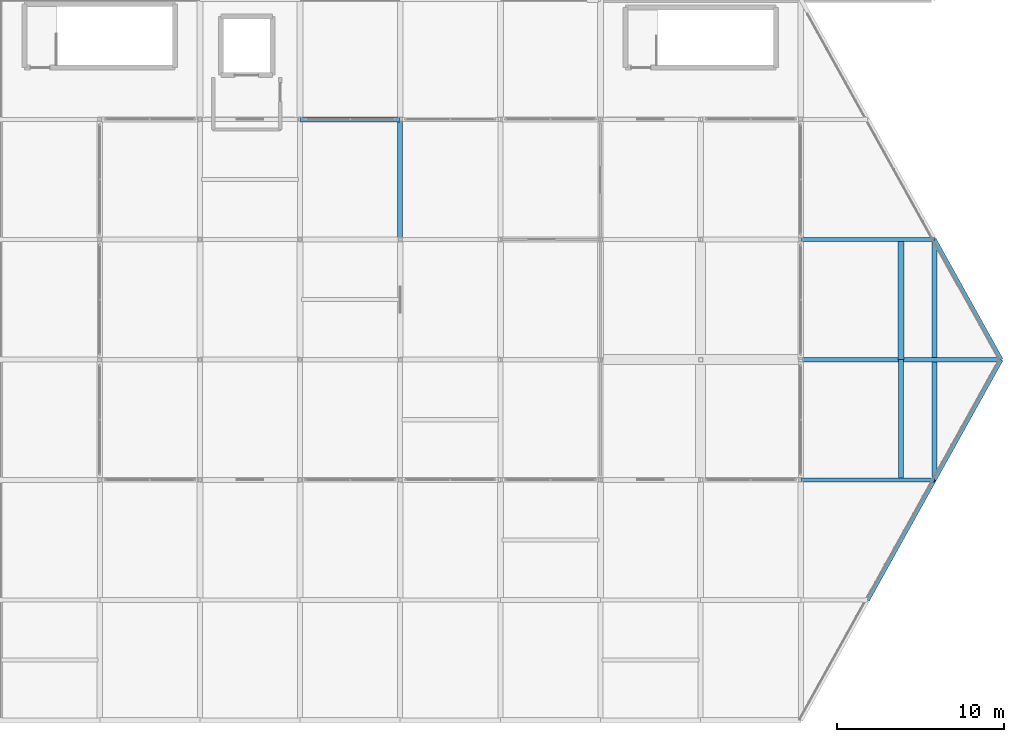
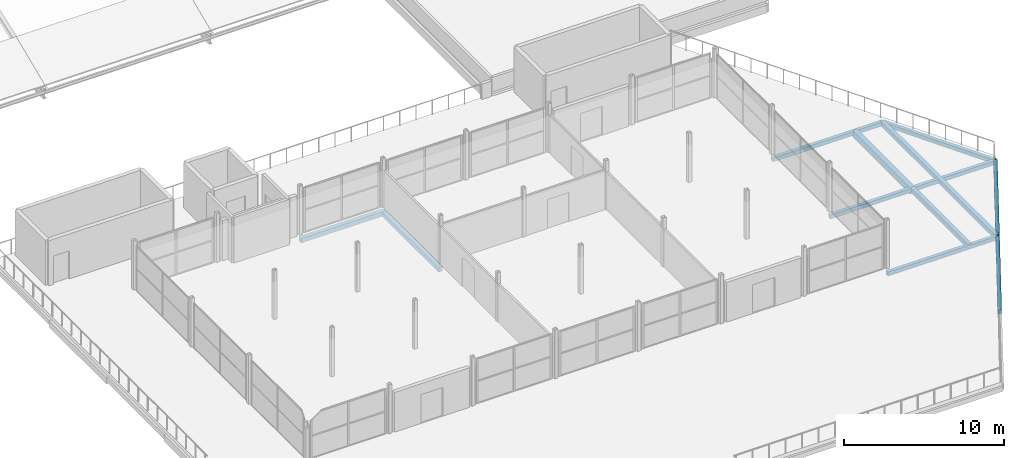
# One storey, part 163 of 239: 11 beams.
"""IFC4 building model written with IfcOpenShell, lengths in metres."""

from ifc_helpers import new_model, si_unit, direction, frame, origin, origin_2d, place, context, subcontext, project, spatial, rectangle, extrude, material, material_profile, profile_set, type_object, element, save


model = new_model("IFC4")

# Units and contexts
model_context = context("Model", 3, precision=1e-05, world=origin(), true_north=direction((0.0, 1.0)))
body_context = subcontext(model_context, "Body", "Model", "MODEL_VIEW")
ifc_project = project(units=[si_unit("LENGTHUNIT", "METRE"), si_unit("AREAUNIT", "SQUARE_METRE"), si_unit("VOLUMEUNIT", "CUBIC_METRE"), si_unit("PLANEANGLEUNIT", "RADIAN"), si_unit("MASSUNIT", "GRAM", prefix="KILO")], contexts=[model_context])

# Site, building, storey
site_placement = place(None, origin())
site = spatial("IfcSite", under=ifc_project, at=site_placement, CompositionType="ELEMENT")
building_placement = place(site_placement, origin())
building = spatial("IfcBuilding", under=site, at=building_placement, Name="Dunvalen Ferry Terminal", CompositionType="ELEMENT")
storey_placement = place(building_placement, frame((0.0, 0.0, 9.840087890625)))
storey = spatial("IfcBuildingStorey", under=building, at=storey_placement, Name="L02", CompositionType="ELEMENT", Elevation=9.840087890625)

# Beams
ifc_material_1 = material(Name="Concrete C35/45", Category="concrete")
ifc_material_profile_1 = material_profile(ifc_material_1, rectangle(XDim=0.35009765625, YDim=0.5, at=origin_2d()), Name="Concrete C35/45")
ifc_profile_set_1 = profile_set([ifc_material_profile_1], Name="Concrete C35/45")
beam_type_1 = type_object("IfcBeamType", Name="STR-BM-RCB500W", PredefinedType="JOIST", material=ifc_profile_set_1)
beam_1_placement = place(storey_placement, frame((162.0, 21.60009765625, -0.530029296875), z_axis=(0.0, 1.0, 0.0), x_axis=(-1.0, 0.0, 0.0)))
element("IfcBeam", 1, at=beam_1_placement, inside=storey, type_object=beam_type_1, Name="L02 V4 Primary Girder Y-115", PredefinedType="JOIST", context=body_context, shape_type="SweptSolid", body=[
    extrude(rectangle(XDim=0.35009765625, YDim=0.5, at=origin_2d()), origin(), (0.0, 0.0, 1.0), 7.199951171875),
])
ifc_material_profile_2 = material_profile(ifc_material_1, rectangle(XDim=0.25, YDim=0.300048828125, at=origin_2d()), Name="Concrete C35/45")
ifc_profile_set_2 = profile_set([ifc_material_profile_2], Name="Concrete C35/45")
beam_type_2 = type_object("IfcBeamType", Name="STR-BM-RCL300", PredefinedType="LINTEL", material=ifc_profile_set_2)
for number, where, z_axis, x_axis, name in (
    (2, (160.0, 7.199951171875, -0.43017578125), (0.485645447903, 0.874155877937, 0.0), (-0.874155877937, 0.485645447903, 0.0), "L02 Hexagon-Cut Wing Perimeter Beam 2"),
    (3, (164.0, 14.39990234375, -0.43017578125), (0.485632864501, 0.874162868644, 0.0), (-0.874162868644, 0.485632864501, 0.0), "L02 Hexagon-Cut Wing Perimeter Beam 3"),
    (4, (168.0, 21.60009765625, -0.43017578125), (-0.485645447903, 0.874155877937, 0.0), (-0.874155877937, -0.485645447903, 0.0), "L02 Hexagon-Cut Wing Perimeter Beam 4"),
):
    element("IfcBeam", number, at=place(storey_placement, frame(where, z_axis=z_axis, x_axis=x_axis)), inside=storey, type_object=beam_type_2, Name=name, PredefinedType="LINTEL", context=body_context, shape_type="SweptSolid", body=[
        extrude(rectangle(XDim=0.25, YDim=0.300048828125, at=origin_2d()), origin(), (0.0, 0.0, 1.0), 8.236572265625),
    ])
beam_2_placement = place(storey_placement, frame((156.0, 14.39990234375, -0.43017578125), z_axis=(1.0, 0.0, 0.0), x_axis=(0.0, 1.0, 0.0)))
element("IfcBeam", 5, at=beam_2_placement, inside=storey, type_object=beam_type_2, Name="L02 Hexagon-Cut Wing Tie Beam Y14", PredefinedType="LINTEL", context=body_context, shape_type="SweptSolid", body=[
    extrude(rectangle(XDim=0.25, YDim=0.300048828125, at=origin_2d()), origin(), (0.0, 0.0, 1.0), 8.0),
])
beam_3_placement = place(storey_placement, frame((156.0, 21.60009765625, -0.43017578125), z_axis=(1.0, 0.0, 0.0), x_axis=(0.0, 1.0, 0.0)))
element("IfcBeam", 6, at=beam_3_placement, inside=storey, type_object=beam_type_2, Name="L02 Hexagon-Cut Wing Tie Beam Y21", PredefinedType="LINTEL", context=body_context, shape_type="SweptSolid", body=[
    extrude(rectangle(XDim=0.25, YDim=0.300048828125, at=origin_2d()), origin(), (0.0, 0.0, 1.0), 12.0),
])
beam_4_placement = place(storey_placement, frame((156.0, 28.800048828125, -0.43017578125), z_axis=(1.0, 0.0, 0.0), x_axis=(0.0, 1.0, 0.0)))
element("IfcBeam", 7, at=beam_4_placement, inside=storey, type_object=beam_type_2, Name="L02 Hexagon-Cut Wing Tie Beam Y28", PredefinedType="LINTEL", context=body_context, shape_type="SweptSolid", body=[
    extrude(rectangle(XDim=0.25, YDim=0.300048828125, at=origin_2d()), origin(), (0.0, 0.0, 1.0), 8.0),
])
ifc_material_2 = material(Name="Concrete C40/50", Category="concrete")
ifc_material_profile_3 = material_profile(ifc_material_2, rectangle(XDim=0.300048828125, YDim=0.35009765625, at=origin_2d()), Name="Concrete C40/50")
ifc_profile_set_3 = profile_set([ifc_material_profile_3], Name="Concrete C40/50")
beam_type_3 = type_object("IfcBeamType", Name="STR-BM-RCL350", PredefinedType="LINTEL", material=ifc_profile_set_3)
beam_5_placement = place(storey_placement, frame((126.0, 36.0, -0.455078125), z_axis=(1.0, 0.0, 0.0), x_axis=(0.0, 1.0, 0.0)))
element("IfcBeam", 8, at=beam_5_placement, inside=storey, type_object=beam_type_3, Name="L02 V4 Primary Beam X-050", PredefinedType="LINTEL", context=body_context, shape_type="SweptSolid", body=[
    extrude(rectangle(XDim=0.300048828125, YDim=0.35009765625, at=origin_2d()), origin(), (0.0, 0.0, 1.0), 6.0),
])
beam_6_placement = place(storey_placement, frame((132.0, 28.800048828125, -0.455078125), z_axis=(0.0, 1.0, 0.0), x_axis=(-1.0, 0.0, 0.0)))
element("IfcBeam", 9, at=beam_6_placement, inside=storey, type_object=beam_type_3, Name="L02 V4 Primary Girder Y-090", PredefinedType="LINTEL", context=body_context, shape_type="SweptSolid", body=[
    extrude(rectangle(XDim=0.300048828125, YDim=0.35009765625, at=origin_2d()), origin(), (0.0, 0.0, 1.0), 7.199951171875),
])
beam_7_placement = place(storey_placement, frame((162.0, 14.39990234375, -0.455078125), z_axis=(0.0, 1.0, 0.0), x_axis=(-1.0, 0.0, 0.0)))
element("IfcBeam", 10, at=beam_7_placement, inside=storey, type_object=beam_type_3, Name="L02 V4 Primary Girder Y-114", PredefinedType="LINTEL", context=body_context, shape_type="SweptSolid", body=[
    extrude(rectangle(XDim=0.300048828125, YDim=0.35009765625, at=origin_2d()), origin(), (0.0, 0.0, 1.0), 7.2001953125),
])
beam_8_placement = place(storey_placement, frame((164.0, 14.39990234375, -0.455078125), z_axis=(0.0, 1.0, 0.0), x_axis=(-1.0, 0.0, 0.0)))
element("IfcBeam", 11, at=beam_8_placement, inside=storey, type_object=beam_type_3, Name="L02 V4 Primary Girder Y-116", PredefinedType="LINTEL", context=body_context, shape_type="SweptSolid", body=[
    extrude(rectangle(XDim=0.300048828125, YDim=0.35009765625, at=origin_2d()), origin(), (0.0, 0.0, 1.0), 14.400146484375),
])

save(model, "model.ifc")
